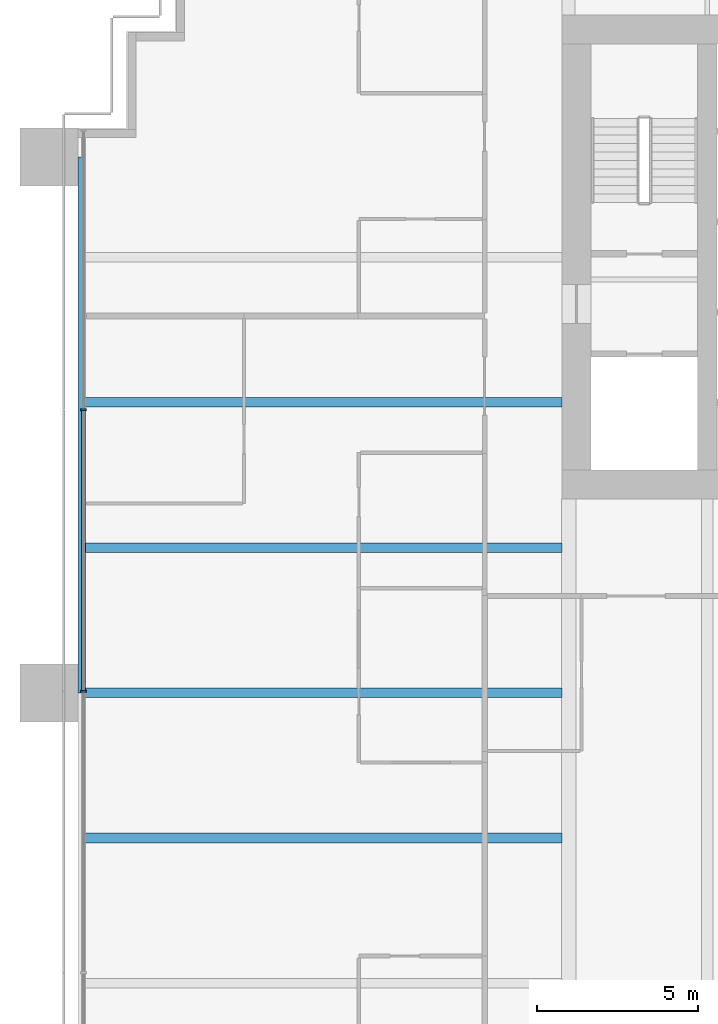
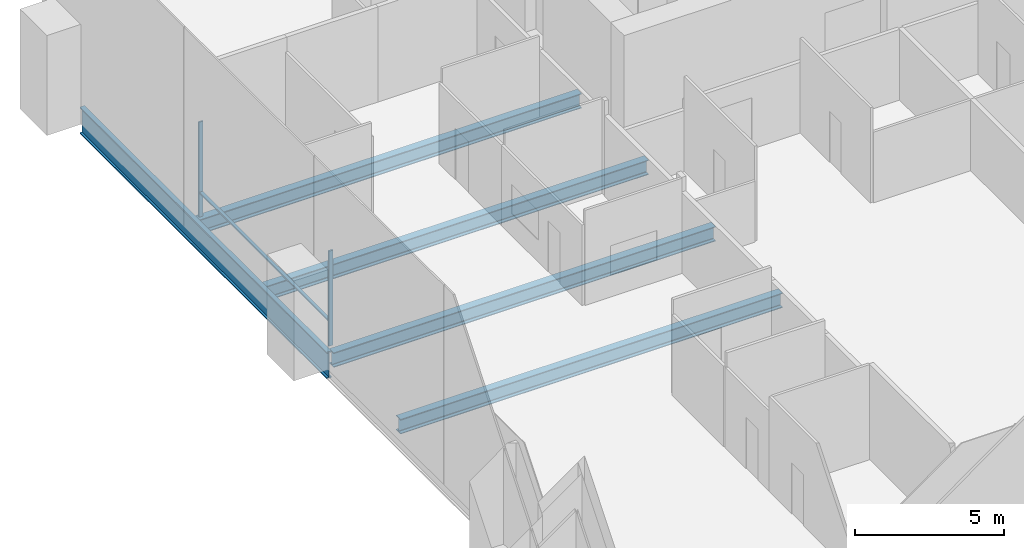
# One storey, part 4 of 18: 5 beams, 3 members, 1 element without a shape of its own.
"""IFC4 building model written with IfcOpenShell, lengths in metres."""

from ifc_helpers import new_model, si_unit, direction, frame, origin, origin_2d, place, context, subcontext, project, spatial, rectangle, i_section, extrude, material, material_profile, profile_set, type_object, element, aggregate, save


model = new_model("IFC4")

# Units and contexts
model_context = context("Model", 3, precision=1e-05, world=origin(), true_north=direction((0.0, 1.0)))
body_context = subcontext(model_context, "Body", "Model", "MODEL_VIEW")
ifc_project = project(units=[si_unit("LENGTHUNIT", "METRE"), si_unit("AREAUNIT", "SQUARE_METRE"), si_unit("VOLUMEUNIT", "CUBIC_METRE"), si_unit("PLANEANGLEUNIT", "RADIAN"), si_unit("MASSUNIT", "GRAM", prefix="KILO")], contexts=[model_context])

# Site, building, storey
site_placement = place(None, origin())
site = spatial("IfcSite", under=ifc_project, at=site_placement, CompositionType="ELEMENT")
building_placement = place(site_placement, origin())
building = spatial("IfcBuilding", under=site, at=building_placement, Name="Rattan Terrace Tower", CompositionType="ELEMENT")
storey_placement = place(building_placement, frame((0.0, 0.0, 32.39990234375)))
storey = spatial("IfcBuildingStorey", under=building, at=storey_placement, Name="L06", CompositionType="ELEMENT", Elevation=32.39990234375)

# Curtain wall, members
ifc_material_1 = material(Name="Aluminium and glass", Category="aluminium")
curtain_wall_type = type_object("IfcCurtainWallType", Name="Facade Unitised Curtain Wall", PredefinedType="NOTDEFINED", material=ifc_material_1)
curtain_wall_placement = place(storey_placement, origin())
curtain_wall = element("IfcCurtainWall", 1, at=curtain_wall_placement, inside=storey, type_object=curtain_wall_type, Name="Curtain wall L06-3", PredefinedType="NOTDEFINED")
ifc_material_2 = material(Name="Aluminium", Category="aluminium")
ifc_material_profile_1 = material_profile(ifc_material_2, rectangle(XDim=0.06005859375, YDim=0.159912109375, at=origin_2d()), Name="Aluminium 60x160")
ifc_profile_set_1 = profile_set([ifc_material_profile_1], Name="Aluminium")
member_type_1 = type_object("IfcMemberType", Name="Facade CW Mullion 60x160", PredefinedType="MULLION", material=ifc_profile_set_1)
member_1_placement = place(storey_placement, frame((-32.830078125, -4.72705078125, 0.0), z_axis=(0.0, 0.0, 1.0), x_axis=(0.0, -1.0, 0.0)))
member_1 = element("IfcMember", 2, at=member_1_placement, type_object=member_type_1, Name="Mullion cwl-L06-003.2", PredefinedType="MULLION", context=body_context, shape_type="SweptSolid", body=[
    extrude(rectangle(XDim=0.06005859375, YDim=0.159912109375, at=origin_2d()), origin(), (0.0, 0.0, 1.0), 3.900146484375),
])
member_2_placement = place(storey_placement, frame((-32.830078125, -13.4541015625, 0.0), z_axis=(0.0, 0.0, 1.0), x_axis=(0.0, -1.0, 0.0)))
member_2 = element("IfcMember", 3, at=member_2_placement, type_object=member_type_1, Name="Mullion cwl-L06-003.3", PredefinedType="MULLION", context=body_context, shape_type="SweptSolid", body=[
    extrude(rectangle(XDim=0.06005859375, YDim=0.159912109375, at=origin_2d()), origin(), (0.0, 0.0, 1.0), 3.900146484375),
])
ifc_material_3 = material(Name="Aluminium", Category="aluminium")
ifc_material_profile_2 = material_profile(ifc_material_3, rectangle(XDim=0.1201171875, YDim=0.06005859375, at=origin_2d()), Name="Aluminium 120x60")
ifc_profile_set_2 = profile_set([ifc_material_profile_2], Name="Aluminium")
member_type_2 = type_object("IfcMemberType", Name="Facade CW Transom 120x60", PredefinedType="USERDEFINED", material=ifc_profile_set_2)
member_3_placement = place(storey_placement, frame((-32.830078125, -4.757080078125, 1.0), z_axis=(0.0, -1.0, 0.0), x_axis=(1.0, 0.0, 0.0)))
member_3 = element("IfcMember", 4, at=member_3_placement, type_object=member_type_2, Name="Transom cwl-L06-003.2", ObjectType="TRANSOM", PredefinedType="USERDEFINED", context=body_context, shape_type="SweptSolid", body=[
    extrude(rectangle(XDim=0.1201171875, YDim=0.06005859375, at=origin_2d()), origin(), (0.0, 0.0, 1.0), 8.6669921875),
])
aggregate(curtain_wall, [member_1, member_2, member_3])

# Beams
ifc_material_4 = material(Name="Steel S460", Category="steel")
ifc_material_profile_3 = material_profile(ifc_material_4, i_section(OverallWidth=0.179931640625, OverallDepth=1.10009765625, WebThickness=0.01611328125, FlangeThickness=0.050048828125, at=origin_2d()), Name="PG 1100x180-16-50")
ifc_profile_set_3 = profile_set([ifc_material_profile_3], Name="Steel S460")
beam_type_1 = type_object("IfcBeamType", Name="Frame edge girder PG 1100x180-16-50", PredefinedType="SPANDREL", material=ifc_profile_set_3)
beam_placement = place(storey_placement, frame((-32.909912109375, 3.10009765625, -0.75), z_axis=(0.0, -1.0, 0.0), x_axis=(1.0, 0.0, 0.0)))
element("IfcBeam", 5, at=beam_placement, inside=storey, type_object=beam_type_1, Name="gdr-L06-008", PredefinedType="SPANDREL", context=body_context, shape_type="SweptSolid", body=[
    extrude(i_section(OverallWidth=0.179931640625, OverallDepth=1.10009765625, WebThickness=0.01611328125, FlangeThickness=0.050048828125, at=origin_2d()), origin(), (0.0, 0.0, 1.0), 16.60009765625),
])
ifc_material_5 = material(Name="Steel S355", Category="steel")
ifc_material_profile_4 = material_profile(ifc_material_5, i_section(OverallWidth=0.300048828125, OverallDepth=0.60009765625, WebThickness=0.015380859375, FlangeThickness=0.030029296875, FilletRadius=0.027099609375, at=origin_2d()), Name="HE 600 B")
ifc_profile_set_4 = profile_set([ifc_material_profile_4], Name="Steel S355")
beam_type_2 = type_object("IfcBeamType", Name="Frame floor beam HE 600 B", PredefinedType="JOIST", material=ifc_profile_set_4)
for number, where, z_axis, x_axis, name in (
    (6, (-32.820068359375, -18.0, -0.5), (1.0, 0.0, 0.0), (0.0, 1.0, 0.0), "bm-L06-014"),
    (7, (-32.820068359375, -13.5, -0.5), (1.0, 0.0, 0.0), (0.0, 1.0, 0.0), "bm-L06-016"),
    (8, (-32.820068359375, -9.0, -0.5), (1.0, 0.0, 0.0), (0.0, 1.0, 0.0), "bm-L06-018"),
    (9, (-32.820068359375, -4.5, -0.5), (1.0, 0.0, 0.0), (0.0, 1.0, 0.0), "bm-L06-020"),
):
    element("IfcBeam", number, at=place(storey_placement, frame(where, z_axis=z_axis, x_axis=x_axis)), inside=storey, type_object=beam_type_2, Name=name, PredefinedType="JOIST", context=body_context, shape_type="SweptSolid", body=[
        extrude(i_section(OverallWidth=0.300048828125, OverallDepth=0.60009765625, WebThickness=0.015380859375, FlangeThickness=0.030029296875, FilletRadius=0.027099609375, at=origin_2d()), origin(), (0.0, 0.0, 1.0), 14.820068359375),
    ])

save(model, "model.ifc")
